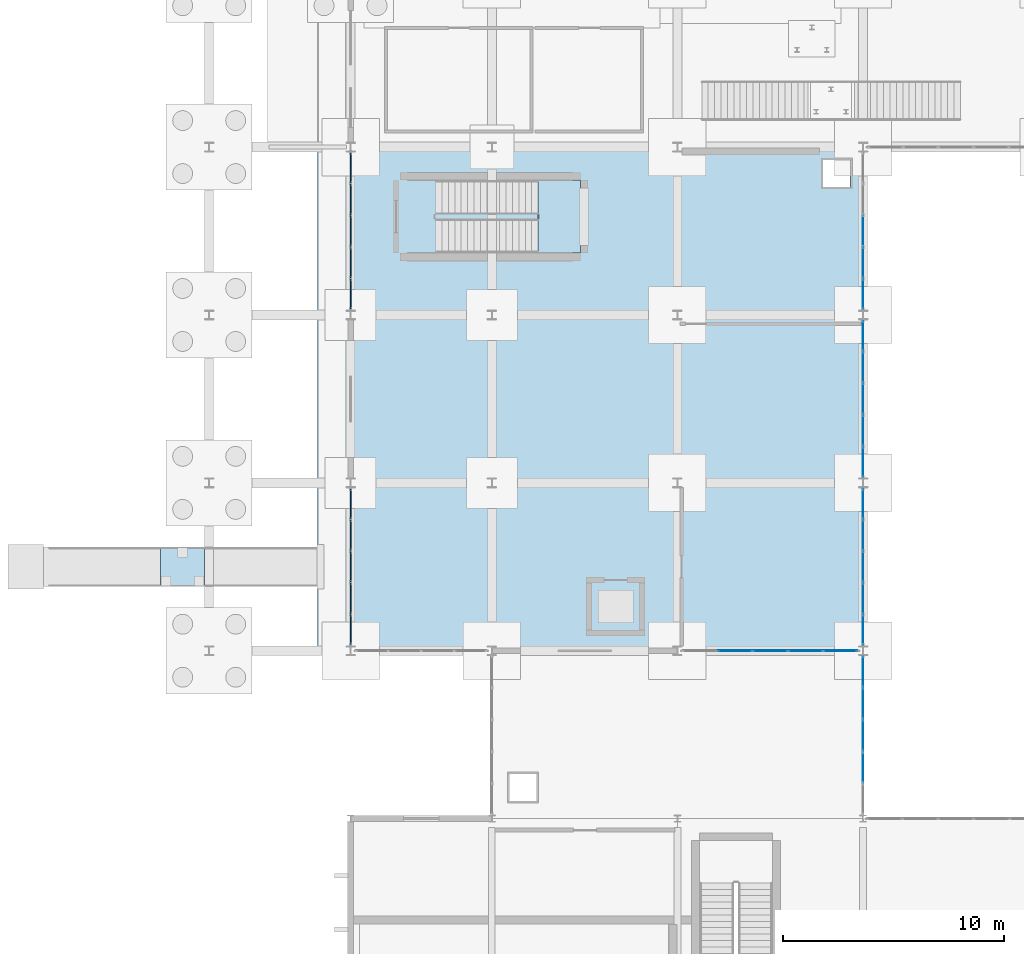
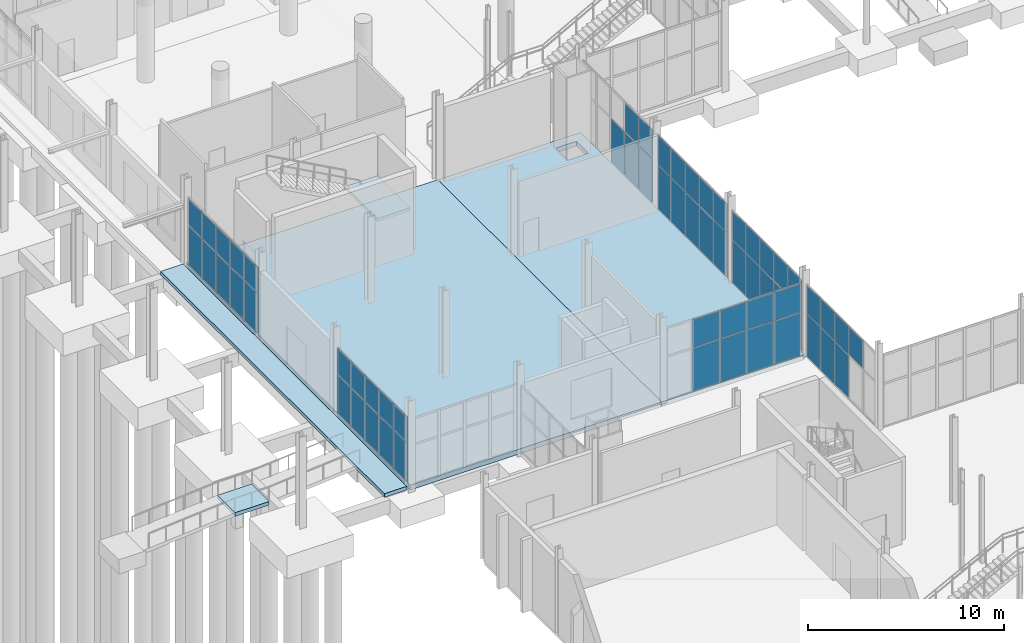
# One storey, part 61 of 95: 60 plates, 5 slabs, 9 elements without a shape of their own.
"""IFC4 building model written with IfcOpenShell, lengths in metres."""

from ifc_helpers import new_model, si_unit, direction, frame, origin, origin_2d, place, context, subcontext, project, spatial, polyline, rectangle, outline, extrude, material, layer, layer_set, type_object, element, aggregate, save


model = new_model("IFC4")

# Units and contexts
model_context = context("Model", 3, precision=1e-05, world=origin(), true_north=direction((0.0, 1.0)))
body_context = subcontext(model_context, "Body", "Model", "MODEL_VIEW")
ifc_project = project(units=[si_unit("LENGTHUNIT", "METRE"), si_unit("AREAUNIT", "SQUARE_METRE"), si_unit("VOLUMEUNIT", "CUBIC_METRE"), si_unit("PLANEANGLEUNIT", "RADIAN"), si_unit("MASSUNIT", "GRAM", prefix="KILO")], contexts=[model_context])

# Site, building, storey
site_placement = place(None, origin())
site = spatial("IfcSite", under=ifc_project, at=site_placement, CompositionType="ELEMENT")
building_placement = place(site_placement, origin())
building = spatial("IfcBuilding", under=site, at=building_placement, Name="Shengluoqiao Park Theatre", CompositionType="ELEMENT")
storey_placement = place(building_placement, origin())
storey = spatial("IfcBuildingStorey", under=building, at=storey_placement, Name="L00", CompositionType="ELEMENT", Elevation=0.0)

# Curtain wall, plates
ifc_material_1 = material(Name="Aluminium 6063-T6", Category="aluminium")
curtain_wall_type_1 = type_object("IfcCurtainWallType", Name="ENV-CW-STUDIO", PredefinedType="NOTDEFINED", material=ifc_material_1)
curtain_wall_1_placement = place(storey_placement, origin())
curtain_wall_1 = element("IfcCurtainWall", 1, at=curtain_wall_1_placement, inside=storey, type_object=curtain_wall_type_1, Name="L00 Curtain Wall CWX-L00-0012", PredefinedType="NOTDEFINED")
ifc_material_2 = material(Name="Insulated glass", Category="glass")
ifc_layer_1 = layer(ifc_material_2, 0.0380859375, Name="Insulated glass")
ifc_layer_set_1 = layer_set([ifc_layer_1], Name="Insulated glass")
plate_type_1 = type_object("IfcPlateType", Name="ENV-GLZ-GL-38", PredefinedType="CURTAIN_PANEL", material=ifc_layer_set_1)
plate_1_placement = place(storey_placement, frame((30.202880859375, 30.39990234375, 0.06005859375), z_axis=(0.0, 0.0, 1.0), x_axis=(1.0, 0.0, 0.0)))
plate_1 = element("IfcPlate", 2, at=plate_1_placement, type_object=plate_type_1, Name="CW-02 panel 2.1", PredefinedType="CURTAIN_PANEL", context=body_context, shape_type="SweptSolid", body=[
    extrude(rectangle(XDim=1.537109375, YDim=0.0380859375, at=origin_2d()), origin(), (0.0, 0.0, 1.0), 2.639892578125),
])
plate_2_placement = place(storey_placement, frame((30.202880859375, 30.39990234375, 2.760009765625), z_axis=(0.0, 0.0, 1.0), x_axis=(1.0, 0.0, 0.0)))
plate_2 = element("IfcPlate", 3, at=plate_2_placement, type_object=plate_type_1, Name="CW-02 panel 2.2", PredefinedType="CURTAIN_PANEL", context=body_context, shape_type="SweptSolid", body=[
    extrude(rectangle(XDim=1.537109375, YDim=0.0380859375, at=origin_2d()), origin(), (0.0, 0.0, 1.0), 1.72998046875),
])
plate_3_placement = place(storey_placement, frame((31.800048828125, 30.39990234375, 0.06005859375), z_axis=(0.0, 0.0, 1.0), x_axis=(1.0, 0.0, 0.0)))
plate_3 = element("IfcPlate", 4, at=plate_3_placement, type_object=plate_type_1, Name="CW-02 panel 3.1", PredefinedType="CURTAIN_PANEL", context=body_context, shape_type="SweptSolid", body=[
    extrude(rectangle(XDim=1.537109375, YDim=0.0380859375, at=origin_2d()), origin(), (0.0, 0.0, 1.0), 2.639892578125),
])
plate_4_placement = place(storey_placement, frame((31.800048828125, 30.39990234375, 2.760009765625), z_axis=(0.0, 0.0, 1.0), x_axis=(1.0, 0.0, 0.0)))
plate_4 = element("IfcPlate", 5, at=plate_4_placement, type_object=plate_type_1, Name="CW-02 panel 3.2", PredefinedType="CURTAIN_PANEL", context=body_context, shape_type="SweptSolid", body=[
    extrude(rectangle(XDim=1.537109375, YDim=0.0380859375, at=origin_2d()), origin(), (0.0, 0.0, 1.0), 1.72998046875),
])
plate_5_placement = place(storey_placement, frame((33.39697265625, 30.39990234375, 0.06005859375), z_axis=(0.0, 0.0, 1.0), x_axis=(1.0, 0.0, 0.0)))
plate_5 = element("IfcPlate", 6, at=plate_5_placement, type_object=plate_type_1, Name="CW-02 panel 4.1", PredefinedType="CURTAIN_PANEL", context=body_context, shape_type="SweptSolid", body=[
    extrude(rectangle(XDim=1.537109375, YDim=0.0380859375, at=origin_2d()), origin(), (0.0, 0.0, 1.0), 2.639892578125),
])
plate_6_placement = place(storey_placement, frame((33.39697265625, 30.39990234375, 2.760009765625), z_axis=(0.0, 0.0, 1.0), x_axis=(1.0, 0.0, 0.0)))
plate_6 = element("IfcPlate", 7, at=plate_6_placement, type_object=plate_type_1, Name="CW-02 panel 4.2", PredefinedType="CURTAIN_PANEL", context=body_context, shape_type="SweptSolid", body=[
    extrude(rectangle(XDim=1.537109375, YDim=0.0380859375, at=origin_2d()), origin(), (0.0, 0.0, 1.0), 1.72998046875),
])
plate_7_placement = place(storey_placement, frame((34.97900390625, 30.39990234375, 0.06005859375), z_axis=(0.0, 0.0, 1.0), x_axis=(1.0, 0.0, 0.0)))
plate_7 = element("IfcPlate", 8, at=plate_7_placement, type_object=plate_type_1, Name="CW-02 panel 5.1", PredefinedType="CURTAIN_PANEL", context=body_context, shape_type="SweptSolid", body=[
    extrude(rectangle(XDim=1.507080078125, YDim=0.0380859375, at=origin_2d()), origin(), (0.0, 0.0, 1.0), 2.639892578125),
])
plate_8_placement = place(storey_placement, frame((34.97900390625, 30.39990234375, 2.760009765625), z_axis=(0.0, 0.0, 1.0), x_axis=(1.0, 0.0, 0.0)))
plate_8 = element("IfcPlate", 9, at=plate_8_placement, type_object=plate_type_1, Name="CW-02 panel 5.2", PredefinedType="CURTAIN_PANEL", context=body_context, shape_type="SweptSolid", body=[
    extrude(rectangle(XDim=1.507080078125, YDim=0.0380859375, at=origin_2d()), origin(), (0.0, 0.0, 1.0), 1.72998046875),
])
aggregate(curtain_wall_1, [plate_1, plate_2, plate_3, plate_4, plate_5, plate_6, plate_7, plate_8])

curtain_wall_type_2 = type_object("IfcCurtainWallType", Name="ENV-CW-COURT", PredefinedType="NOTDEFINED", material=ifc_material_1)
curtain_wall_2_placement = place(storey_placement, origin())
curtain_wall_2 = element("IfcCurtainWall", 10, at=curtain_wall_2_placement, inside=storey, type_object=curtain_wall_type_2, Name="L00 Curtain Wall CWX-L00-0013", PredefinedType="NOTDEFINED")
plate_9_placement = place(storey_placement, frame((36.0, 31.349365234375, 0.06005859375), z_axis=(0.0, 0.0, 1.0), x_axis=(0.0, 1.0, 0.0)))
plate_9 = element("IfcPlate", 11, at=plate_9_placement, type_object=plate_type_1, Name="CW-05 panel 1.1", PredefinedType="CURTAIN_PANEL", context=body_context, shape_type="SweptSolid", body=[
    extrude(rectangle(XDim=1.3427734375, YDim=0.0380859375, at=origin_2d()), origin(), (0.0, 0.0, 1.0), 2.639892578125),
])
plate_10_placement = place(storey_placement, frame((36.0, 31.349365234375, 2.760009765625), z_axis=(0.0, 0.0, 1.0), x_axis=(0.0, 1.0, 0.0)))
plate_10 = element("IfcPlate", 12, at=plate_10_placement, type_object=plate_type_1, Name="CW-05 panel 1.2", PredefinedType="CURTAIN_PANEL", context=body_context, shape_type="SweptSolid", body=[
    extrude(rectangle(XDim=1.3427734375, YDim=0.0380859375, at=origin_2d()), origin(), (0.0, 0.0, 1.0), 1.72998046875),
])
plate_11_placement = place(storey_placement, frame((36.0, 32.76708984375, 0.06005859375), z_axis=(0.0, 0.0, 1.0), x_axis=(0.0, 1.0, 0.0)))
plate_11 = element("IfcPlate", 13, at=plate_11_placement, type_object=plate_type_1, Name="CW-05 panel 2.1", PredefinedType="CURTAIN_PANEL", context=body_context, shape_type="SweptSolid", body=[
    extrude(rectangle(XDim=1.372802734375, YDim=0.0380859375, at=origin_2d()), origin(), (0.0, 0.0, 1.0), 2.639892578125),
])
plate_12_placement = place(storey_placement, frame((36.0, 32.76708984375, 2.760009765625), z_axis=(0.0, 0.0, 1.0), x_axis=(0.0, 1.0, 0.0)))
plate_12 = element("IfcPlate", 14, at=plate_12_placement, type_object=plate_type_1, Name="CW-05 panel 2.2", PredefinedType="CURTAIN_PANEL", context=body_context, shape_type="SweptSolid", body=[
    extrude(rectangle(XDim=1.372802734375, YDim=0.0380859375, at=origin_2d()), origin(), (0.0, 0.0, 1.0), 1.72998046875),
])
plate_13_placement = place(storey_placement, frame((36.0, 34.199951171875, 0.06005859375), z_axis=(0.0, 0.0, 1.0), x_axis=(0.0, 1.0, 0.0)))
plate_13 = element("IfcPlate", 15, at=plate_13_placement, type_object=plate_type_1, Name="CW-05 panel 3.1", PredefinedType="CURTAIN_PANEL", context=body_context, shape_type="SweptSolid", body=[
    extrude(rectangle(XDim=1.372802734375, YDim=0.0380859375, at=origin_2d()), origin(), (0.0, 0.0, 1.0), 2.639892578125),
])
plate_14_placement = place(storey_placement, frame((36.0, 34.199951171875, 2.760009765625), z_axis=(0.0, 0.0, 1.0), x_axis=(0.0, 1.0, 0.0)))
plate_14 = element("IfcPlate", 16, at=plate_14_placement, type_object=plate_type_1, Name="CW-05 panel 3.2", PredefinedType="CURTAIN_PANEL", context=body_context, shape_type="SweptSolid", body=[
    extrude(rectangle(XDim=1.372802734375, YDim=0.0380859375, at=origin_2d()), origin(), (0.0, 0.0, 1.0), 1.72998046875),
])
plate_15_placement = place(storey_placement, frame((36.0, 35.6328125, 0.06005859375), z_axis=(0.0, 0.0, 1.0), x_axis=(0.0, 1.0, 0.0)))
plate_15 = element("IfcPlate", 17, at=plate_15_placement, type_object=plate_type_1, Name="CW-05 panel 4.1", PredefinedType="CURTAIN_PANEL", context=body_context, shape_type="SweptSolid", body=[
    extrude(rectangle(XDim=1.372802734375, YDim=0.0380859375, at=origin_2d()), origin(), (0.0, 0.0, 1.0), 2.639892578125),
])
plate_16_placement = place(storey_placement, frame((36.0, 35.6328125, 2.760009765625), z_axis=(0.0, 0.0, 1.0), x_axis=(0.0, 1.0, 0.0)))
plate_16 = element("IfcPlate", 18, at=plate_16_placement, type_object=plate_type_1, Name="CW-05 panel 4.2", PredefinedType="CURTAIN_PANEL", context=body_context, shape_type="SweptSolid", body=[
    extrude(rectangle(XDim=1.372802734375, YDim=0.0380859375, at=origin_2d()), origin(), (0.0, 0.0, 1.0), 1.72998046875),
])
plate_17_placement = place(storey_placement, frame((36.0, 37.050537109375, 0.06005859375), z_axis=(0.0, 0.0, 1.0), x_axis=(0.0, 1.0, 0.0)))
plate_17 = element("IfcPlate", 19, at=plate_17_placement, type_object=plate_type_1, Name="CW-05 panel 5.1", PredefinedType="CURTAIN_PANEL", context=body_context, shape_type="SweptSolid", body=[
    extrude(rectangle(XDim=1.3427734375, YDim=0.0380859375, at=origin_2d()), origin(), (0.0, 0.0, 1.0), 2.639892578125),
])
plate_18_placement = place(storey_placement, frame((36.0, 37.050537109375, 2.760009765625), z_axis=(0.0, 0.0, 1.0), x_axis=(0.0, 1.0, 0.0)))
plate_18 = element("IfcPlate", 20, at=plate_18_placement, type_object=plate_type_1, Name="CW-05 panel 5.2", PredefinedType="CURTAIN_PANEL", context=body_context, shape_type="SweptSolid", body=[
    extrude(rectangle(XDim=1.3427734375, YDim=0.0380859375, at=origin_2d()), origin(), (0.0, 0.0, 1.0), 1.72998046875),
])
aggregate(curtain_wall_2, [plate_9, plate_10, plate_11, plate_12, plate_13, plate_14, plate_15, plate_16, plate_17, plate_18])

curtain_wall_3_placement = place(storey_placement, origin())
curtain_wall_3 = element("IfcCurtainWall", 21, at=curtain_wall_3_placement, inside=storey, type_object=curtain_wall_type_2, Name="L00 Curtain Wall CWX-L00-0014", PredefinedType="NOTDEFINED")
plate_19_placement = place(storey_placement, frame((36.0, 38.949462890625, 0.06005859375), z_axis=(0.0, 0.0, 1.0), x_axis=(0.0, 1.0, 0.0)))
plate_19 = element("IfcPlate", 22, at=plate_19_placement, type_object=plate_type_1, Name="CW-05 panel 1.1", PredefinedType="CURTAIN_PANEL", context=body_context, shape_type="SweptSolid", body=[
    extrude(rectangle(XDim=1.3427734375, YDim=0.0380859375, at=origin_2d()), origin(), (0.0, 0.0, 1.0), 2.699951171875),
])
plate_20_placement = place(storey_placement, frame((36.0, 38.949462890625, 2.820068359375), z_axis=(0.0, 0.0, 1.0), x_axis=(0.0, 1.0, 0.0)))
plate_20 = element("IfcPlate", 23, at=plate_20_placement, type_object=plate_type_1, Name="CW-05 panel 1.2", PredefinedType="CURTAIN_PANEL", context=body_context, shape_type="SweptSolid", body=[
    extrude(rectangle(XDim=1.3427734375, YDim=0.0380859375, at=origin_2d()), origin(), (0.0, 0.0, 1.0), 1.77001953125),
])
plate_21_placement = place(storey_placement, frame((36.0, 40.3671875, 0.06005859375), z_axis=(0.0, 0.0, 1.0), x_axis=(0.0, 1.0, 0.0)))
plate_21 = element("IfcPlate", 24, at=plate_21_placement, type_object=plate_type_1, Name="CW-05 panel 2.1", PredefinedType="CURTAIN_PANEL", context=body_context, shape_type="SweptSolid", body=[
    extrude(rectangle(XDim=1.372802734375, YDim=0.0380859375, at=origin_2d()), origin(), (0.0, 0.0, 1.0), 2.699951171875),
])
plate_22_placement = place(storey_placement, frame((36.0, 40.3671875, 2.820068359375), z_axis=(0.0, 0.0, 1.0), x_axis=(0.0, 1.0, 0.0)))
plate_22 = element("IfcPlate", 25, at=plate_22_placement, type_object=plate_type_1, Name="CW-05 panel 2.2", PredefinedType="CURTAIN_PANEL", context=body_context, shape_type="SweptSolid", body=[
    extrude(rectangle(XDim=1.372802734375, YDim=0.0380859375, at=origin_2d()), origin(), (0.0, 0.0, 1.0), 1.77001953125),
])
plate_23_placement = place(storey_placement, frame((36.0, 41.800048828125, 0.06005859375), z_axis=(0.0, 0.0, 1.0), x_axis=(0.0, 1.0, 0.0)))
plate_23 = element("IfcPlate", 26, at=plate_23_placement, type_object=plate_type_1, Name="CW-05 panel 3.1", PredefinedType="CURTAIN_PANEL", context=body_context, shape_type="SweptSolid", body=[
    extrude(rectangle(XDim=1.372802734375, YDim=0.0380859375, at=origin_2d()), origin(), (0.0, 0.0, 1.0), 2.699951171875),
])
plate_24_placement = place(storey_placement, frame((36.0, 41.800048828125, 2.820068359375), z_axis=(0.0, 0.0, 1.0), x_axis=(0.0, 1.0, 0.0)))
plate_24 = element("IfcPlate", 27, at=plate_24_placement, type_object=plate_type_1, Name="CW-05 panel 3.2", PredefinedType="CURTAIN_PANEL", context=body_context, shape_type="SweptSolid", body=[
    extrude(rectangle(XDim=1.372802734375, YDim=0.0380859375, at=origin_2d()), origin(), (0.0, 0.0, 1.0), 1.77001953125),
])
plate_25_placement = place(storey_placement, frame((36.0, 43.23291015625, 0.06005859375), z_axis=(0.0, 0.0, 1.0), x_axis=(0.0, 1.0, 0.0)))
plate_25 = element("IfcPlate", 28, at=plate_25_placement, type_object=plate_type_1, Name="CW-05 panel 4.1", PredefinedType="CURTAIN_PANEL", context=body_context, shape_type="SweptSolid", body=[
    extrude(rectangle(XDim=1.372802734375, YDim=0.0380859375, at=origin_2d()), origin(), (0.0, 0.0, 1.0), 2.699951171875),
])
plate_26_placement = place(storey_placement, frame((36.0, 43.23291015625, 2.820068359375), z_axis=(0.0, 0.0, 1.0), x_axis=(0.0, 1.0, 0.0)))
plate_26 = element("IfcPlate", 29, at=plate_26_placement, type_object=plate_type_1, Name="CW-05 panel 4.2", PredefinedType="CURTAIN_PANEL", context=body_context, shape_type="SweptSolid", body=[
    extrude(rectangle(XDim=1.372802734375, YDim=0.0380859375, at=origin_2d()), origin(), (0.0, 0.0, 1.0), 1.77001953125),
])
plate_27_placement = place(storey_placement, frame((36.0, 44.650634765625, 0.06005859375), z_axis=(0.0, 0.0, 1.0), x_axis=(0.0, 1.0, 0.0)))
plate_27 = element("IfcPlate", 30, at=plate_27_placement, type_object=plate_type_1, Name="CW-05 panel 5.1", PredefinedType="CURTAIN_PANEL", context=body_context, shape_type="SweptSolid", body=[
    extrude(rectangle(XDim=1.3427734375, YDim=0.0380859375, at=origin_2d()), origin(), (0.0, 0.0, 1.0), 2.699951171875),
])
plate_28_placement = place(storey_placement, frame((36.0, 44.650634765625, 2.820068359375), z_axis=(0.0, 0.0, 1.0), x_axis=(0.0, 1.0, 0.0)))
plate_28 = element("IfcPlate", 31, at=plate_28_placement, type_object=plate_type_1, Name="CW-05 panel 5.2", PredefinedType="CURTAIN_PANEL", context=body_context, shape_type="SweptSolid", body=[
    extrude(rectangle(XDim=1.3427734375, YDim=0.0380859375, at=origin_2d()), origin(), (0.0, 0.0, 1.0), 1.77001953125),
])
aggregate(curtain_wall_3, [plate_19, plate_20, plate_21, plate_22, plate_23, plate_24, plate_25, plate_26, plate_27, plate_28])

curtain_wall_4_placement = place(storey_placement, origin())
curtain_wall_4 = element("IfcCurtainWall", 32, at=curtain_wall_4_placement, inside=storey, type_object=curtain_wall_type_2, Name="L00 Curtain Wall CWX-L00-0015", PredefinedType="NOTDEFINED")
plate_29_placement = place(storey_placement, frame((36.0, 46.54931640625, 0.06005859375), z_axis=(0.0, 0.0, 1.0), x_axis=(0.0, 1.0, 0.0)))
plate_29 = element("IfcPlate", 33, at=plate_29_placement, type_object=plate_type_1, Name="CW-05 panel 1.1", PredefinedType="CURTAIN_PANEL", context=body_context, shape_type="SweptSolid", body=[
    extrude(rectangle(XDim=1.3427734375, YDim=0.0380859375, at=origin_2d()), origin(), (0.0, 0.0, 1.0), 2.699951171875),
])
plate_30_placement = place(storey_placement, frame((36.0, 46.54931640625, 2.820068359375), z_axis=(0.0, 0.0, 1.0), x_axis=(0.0, 1.0, 0.0)))
plate_30 = element("IfcPlate", 34, at=plate_30_placement, type_object=plate_type_1, Name="CW-05 panel 1.2", PredefinedType="CURTAIN_PANEL", context=body_context, shape_type="SweptSolid", body=[
    extrude(rectangle(XDim=1.3427734375, YDim=0.0380859375, at=origin_2d()), origin(), (0.0, 0.0, 1.0), 1.77001953125),
])
plate_31_placement = place(storey_placement, frame((36.0, 47.96728515625, 0.06005859375), z_axis=(0.0, 0.0, 1.0), x_axis=(0.0, 1.0, 0.0)))
plate_31 = element("IfcPlate", 35, at=plate_31_placement, type_object=plate_type_1, Name="CW-05 panel 2.1", PredefinedType="CURTAIN_PANEL", context=body_context, shape_type="SweptSolid", body=[
    extrude(rectangle(XDim=1.372802734375, YDim=0.0380859375, at=origin_2d()), origin(), (0.0, 0.0, 1.0), 2.699951171875),
])
plate_32_placement = place(storey_placement, frame((36.0, 47.96728515625, 2.820068359375), z_axis=(0.0, 0.0, 1.0), x_axis=(0.0, 1.0, 0.0)))
plate_32 = element("IfcPlate", 36, at=plate_32_placement, type_object=plate_type_1, Name="CW-05 panel 2.2", PredefinedType="CURTAIN_PANEL", context=body_context, shape_type="SweptSolid", body=[
    extrude(rectangle(XDim=1.372802734375, YDim=0.0380859375, at=origin_2d()), origin(), (0.0, 0.0, 1.0), 1.77001953125),
])
plate_33_placement = place(storey_placement, frame((36.0, 49.39990234375, 0.06005859375), z_axis=(0.0, 0.0, 1.0), x_axis=(0.0, 1.0, 0.0)))
plate_33 = element("IfcPlate", 37, at=plate_33_placement, type_object=plate_type_1, Name="CW-05 panel 3.1", PredefinedType="CURTAIN_PANEL", context=body_context, shape_type="SweptSolid", body=[
    extrude(rectangle(XDim=1.372802734375, YDim=0.0380859375, at=origin_2d()), origin(), (0.0, 0.0, 1.0), 2.699951171875),
])
aggregate(curtain_wall_4, [plate_29, plate_30, plate_31, plate_32, plate_33])

curtain_wall_5_placement = place(storey_placement, origin())
curtain_wall_5 = element("IfcCurtainWall", 38, at=curtain_wall_5_placement, inside=storey, type_object=curtain_wall_type_2, Name="L00 Curtain Wall CWX-L00-0154", PredefinedType="NOTDEFINED")
plate_34_placement = place(storey_placement, frame((36.0, 25.122314453125, 2.760009765625), z_axis=(0.0, 0.0, 1.0), x_axis=(0.0, 1.0, 0.0)))
plate_34 = element("IfcPlate", 39, at=plate_34_placement, type_object=plate_type_1, Name="CW-05 panel 2.2", PredefinedType="CURTAIN_PANEL", context=body_context, shape_type="SweptSolid", body=[
    extrude(rectangle(XDim=1.385498046875, YDim=0.0380859375, at=origin_2d()), origin(), (0.0, 0.0, 1.0), 1.72998046875),
])
plate_35_placement = place(storey_placement, frame((36.0, 26.568115234375, 0.06005859375), z_axis=(0.0, 0.0, 1.0), x_axis=(0.0, 1.0, 0.0)))
plate_35 = element("IfcPlate", 40, at=plate_35_placement, type_object=plate_type_1, Name="CW-05 panel 3.1", PredefinedType="CURTAIN_PANEL", context=body_context, shape_type="SweptSolid", body=[
    extrude(rectangle(XDim=1.385498046875, YDim=0.0380859375, at=origin_2d()), origin(), (0.0, 0.0, 1.0), 2.639892578125),
])
plate_36_placement = place(storey_placement, frame((36.0, 26.568115234375, 2.760009765625), z_axis=(0.0, 0.0, 1.0), x_axis=(0.0, 1.0, 0.0)))
plate_36 = element("IfcPlate", 41, at=plate_36_placement, type_object=plate_type_1, Name="CW-05 panel 3.2", PredefinedType="CURTAIN_PANEL", context=body_context, shape_type="SweptSolid", body=[
    extrude(rectangle(XDim=1.385498046875, YDim=0.0380859375, at=origin_2d()), origin(), (0.0, 0.0, 1.0), 1.72998046875),
])
plate_37_placement = place(storey_placement, frame((36.0, 28.013671875, 0.06005859375), z_axis=(0.0, 0.0, 1.0), x_axis=(0.0, 1.0, 0.0)))
plate_37 = element("IfcPlate", 42, at=plate_37_placement, type_object=plate_type_1, Name="CW-05 panel 4.1", PredefinedType="CURTAIN_PANEL", context=body_context, shape_type="SweptSolid", body=[
    extrude(rectangle(XDim=1.385498046875, YDim=0.0380859375, at=origin_2d()), origin(), (0.0, 0.0, 1.0), 2.639892578125),
])
plate_38_placement = place(storey_placement, frame((36.0, 28.013671875, 2.760009765625), z_axis=(0.0, 0.0, 1.0), x_axis=(0.0, 1.0, 0.0)))
plate_38 = element("IfcPlate", 43, at=plate_38_placement, type_object=plate_type_1, Name="CW-05 panel 4.2", PredefinedType="CURTAIN_PANEL", context=body_context, shape_type="SweptSolid", body=[
    extrude(rectangle(XDim=1.385498046875, YDim=0.0380859375, at=origin_2d()), origin(), (0.0, 0.0, 1.0), 1.72998046875),
])
plate_39_placement = place(storey_placement, frame((36.0, 29.444091796875, 0.06005859375), z_axis=(0.0, 0.0, 1.0), x_axis=(0.0, 1.0, 0.0)))
plate_39 = element("IfcPlate", 44, at=plate_39_placement, type_object=plate_type_1, Name="CW-05 panel 5.1", PredefinedType="CURTAIN_PANEL", context=body_context, shape_type="SweptSolid", body=[
    extrude(rectangle(XDim=1.355712890625, YDim=0.0380859375, at=origin_2d()), origin(), (0.0, 0.0, 1.0), 2.639892578125),
])
plate_40_placement = place(storey_placement, frame((36.0, 29.444091796875, 2.760009765625), z_axis=(0.0, 0.0, 1.0), x_axis=(0.0, 1.0, 0.0)))
plate_40 = element("IfcPlate", 45, at=plate_40_placement, type_object=plate_type_1, Name="CW-05 panel 5.2", PredefinedType="CURTAIN_PANEL", context=body_context, shape_type="SweptSolid", body=[
    extrude(rectangle(XDim=1.355712890625, YDim=0.0380859375, at=origin_2d()), origin(), (0.0, 0.0, 1.0), 1.72998046875),
])
aggregate(curtain_wall_5, [plate_34, plate_35, plate_36, plate_37, plate_38, plate_39, plate_40])

curtain_wall_6_placement = place(storey_placement, origin())
curtain_wall_6 = element("IfcCurtainWall", 46, at=curtain_wall_6_placement, inside=storey, type_object=curtain_wall_type_1, Name="L00 Curtain Wall CW-L00-0009", PredefinedType="NOTDEFINED")
ifc_layer_2 = layer(ifc_material_2, 0.048095703125, Name="Insulated glass")
ifc_layer_set_2 = layer_set([ifc_layer_2], Name="Insulated glass")
plate_type_2 = type_object("IfcPlateType", Name="ENV-GLZ-GL-48", PredefinedType="CURTAIN_PANEL", material=ifc_layer_set_2)
plate_41_placement = place(storey_placement, frame((12.800048828125, 31.3505859375, 0.06494140625), z_axis=(0.0, 0.0, 1.0), x_axis=(0.0, 1.0, 0.0)))
plate_41 = element("IfcPlate", 47, at=plate_41_placement, type_object=plate_type_2, Name="CW-02 panel 1.1", PredefinedType="CURTAIN_PANEL", context=body_context, shape_type="SweptSolid", body=[
    extrude(rectangle(XDim=1.335205078125, YDim=0.048095703125, at=origin_2d()), origin(), (0.0, 0.0, 1.0), 2.385498046875),
])
plate_42_placement = place(storey_placement, frame((12.800048828125, 31.3505859375, 2.515380859375), z_axis=(0.0, 0.0, 1.0), x_axis=(0.0, 1.0, 0.0)))
plate_42 = element("IfcPlate", 48, at=plate_42_placement, type_object=plate_type_2, Name="CW-02 panel 1.2", PredefinedType="CURTAIN_PANEL", context=body_context, shape_type="SweptSolid", body=[
    extrude(rectangle(XDim=1.335205078125, YDim=0.048095703125, at=origin_2d()), origin(), (0.0, 0.0, 1.0), 1.5576171875),
])
plate_43_placement = place(storey_placement, frame((12.800048828125, 32.76708984375, 0.06494140625), z_axis=(0.0, 0.0, 1.0), x_axis=(0.0, 1.0, 0.0)))
plate_43 = element("IfcPlate", 49, at=plate_43_placement, type_object=plate_type_2, Name="CW-02 panel 2.1", PredefinedType="CURTAIN_PANEL", context=body_context, shape_type="SweptSolid", body=[
    extrude(rectangle(XDim=1.367919921875, YDim=0.048095703125, at=origin_2d()), origin(), (0.0, 0.0, 1.0), 2.385498046875),
])
plate_44_placement = place(storey_placement, frame((12.800048828125, 32.76708984375, 2.515380859375), z_axis=(0.0, 0.0, 1.0), x_axis=(0.0, 1.0, 0.0)))
plate_44 = element("IfcPlate", 50, at=plate_44_placement, type_object=plate_type_2, Name="CW-02 panel 2.2", PredefinedType="CURTAIN_PANEL", context=body_context, shape_type="SweptSolid", body=[
    extrude(rectangle(XDim=1.367919921875, YDim=0.048095703125, at=origin_2d()), origin(), (0.0, 0.0, 1.0), 1.5576171875),
])
plate_45_placement = place(storey_placement, frame((12.800048828125, 34.199951171875, 0.06494140625), z_axis=(0.0, 0.0, 1.0), x_axis=(0.0, 1.0, 0.0)))
plate_45 = element("IfcPlate", 51, at=plate_45_placement, type_object=plate_type_2, Name="CW-02 panel 3.1", PredefinedType="CURTAIN_PANEL", context=body_context, shape_type="SweptSolid", body=[
    extrude(rectangle(XDim=1.367919921875, YDim=0.048095703125, at=origin_2d()), origin(), (0.0, 0.0, 1.0), 2.385498046875),
])
plate_46_placement = place(storey_placement, frame((12.800048828125, 34.199951171875, 2.515380859375), z_axis=(0.0, 0.0, 1.0), x_axis=(0.0, 1.0, 0.0)))
plate_46 = element("IfcPlate", 52, at=plate_46_placement, type_object=plate_type_2, Name="CW-02 panel 3.2", PredefinedType="CURTAIN_PANEL", context=body_context, shape_type="SweptSolid", body=[
    extrude(rectangle(XDim=1.367919921875, YDim=0.048095703125, at=origin_2d()), origin(), (0.0, 0.0, 1.0), 1.5576171875),
])
plate_47_placement = place(storey_placement, frame((12.800048828125, 35.6328125, 0.06494140625), z_axis=(0.0, 0.0, 1.0), x_axis=(0.0, 1.0, 0.0)))
plate_47 = element("IfcPlate", 53, at=plate_47_placement, type_object=plate_type_2, Name="CW-02 panel 4.1", PredefinedType="CURTAIN_PANEL", context=body_context, shape_type="SweptSolid", body=[
    extrude(rectangle(XDim=1.367919921875, YDim=0.048095703125, at=origin_2d()), origin(), (0.0, 0.0, 1.0), 2.385498046875),
])
plate_48_placement = place(storey_placement, frame((12.800048828125, 35.6328125, 2.515380859375), z_axis=(0.0, 0.0, 1.0), x_axis=(0.0, 1.0, 0.0)))
plate_48 = element("IfcPlate", 54, at=plate_48_placement, type_object=plate_type_2, Name="CW-02 panel 4.2", PredefinedType="CURTAIN_PANEL", context=body_context, shape_type="SweptSolid", body=[
    extrude(rectangle(XDim=1.367919921875, YDim=0.048095703125, at=origin_2d()), origin(), (0.0, 0.0, 1.0), 1.5576171875),
])
plate_49_placement = place(storey_placement, frame((12.800048828125, 37.04931640625, 0.06494140625), z_axis=(0.0, 0.0, 1.0), x_axis=(0.0, 1.0, 0.0)))
plate_49 = element("IfcPlate", 55, at=plate_49_placement, type_object=plate_type_2, Name="CW-02 panel 5.1", PredefinedType="CURTAIN_PANEL", context=body_context, shape_type="SweptSolid", body=[
    extrude(rectangle(XDim=1.335205078125, YDim=0.048095703125, at=origin_2d()), origin(), (0.0, 0.0, 1.0), 2.385498046875),
])
plate_50_placement = place(storey_placement, frame((12.800048828125, 37.04931640625, 2.515380859375), z_axis=(0.0, 0.0, 1.0), x_axis=(0.0, 1.0, 0.0)))
plate_50 = element("IfcPlate", 56, at=plate_50_placement, type_object=plate_type_2, Name="CW-02 panel 5.2", PredefinedType="CURTAIN_PANEL", context=body_context, shape_type="SweptSolid", body=[
    extrude(rectangle(XDim=1.335205078125, YDim=0.048095703125, at=origin_2d()), origin(), (0.0, 0.0, 1.0), 1.5576171875),
])
aggregate(curtain_wall_6, [plate_41, plate_42, plate_43, plate_44, plate_45, plate_46, plate_47, plate_48, plate_49, plate_50])

curtain_wall_7_placement = place(storey_placement, origin())
curtain_wall_7 = element("IfcCurtainWall", 57, at=curtain_wall_7_placement, inside=storey, type_object=curtain_wall_type_1, Name="L00 Curtain Wall CW-L00-0010", PredefinedType="NOTDEFINED")
plate_51_placement = place(storey_placement, frame((12.800048828125, 46.550537109375, 0.06494140625), z_axis=(0.0, 0.0, 1.0), x_axis=(0.0, 1.0, 0.0)))
plate_51 = element("IfcPlate", 58, at=plate_51_placement, type_object=plate_type_2, Name="CW-02 panel 1.1", PredefinedType="CURTAIN_PANEL", context=body_context, shape_type="SweptSolid", body=[
    extrude(rectangle(XDim=1.335205078125, YDim=0.048095703125, at=origin_2d()), origin(), (0.0, 0.0, 1.0), 2.445556640625),
])
plate_52_placement = place(storey_placement, frame((12.800048828125, 46.550537109375, 2.57568359375), z_axis=(0.0, 0.0, 1.0), x_axis=(0.0, 1.0, 0.0)))
plate_52 = element("IfcPlate", 59, at=plate_52_placement, type_object=plate_type_2, Name="CW-02 panel 1.2", PredefinedType="CURTAIN_PANEL", context=body_context, shape_type="SweptSolid", body=[
    extrude(rectangle(XDim=1.335205078125, YDim=0.048095703125, at=origin_2d()), origin(), (0.0, 0.0, 1.0), 1.597412109375),
])
plate_53_placement = place(storey_placement, frame((12.800048828125, 47.96728515625, 0.06494140625), z_axis=(0.0, 0.0, 1.0), x_axis=(0.0, 1.0, 0.0)))
plate_53 = element("IfcPlate", 60, at=plate_53_placement, type_object=plate_type_2, Name="CW-02 panel 2.1", PredefinedType="CURTAIN_PANEL", context=body_context, shape_type="SweptSolid", body=[
    extrude(rectangle(XDim=1.367919921875, YDim=0.048095703125, at=origin_2d()), origin(), (0.0, 0.0, 1.0), 2.445556640625),
])
plate_54_placement = place(storey_placement, frame((12.800048828125, 47.96728515625, 2.57568359375), z_axis=(0.0, 0.0, 1.0), x_axis=(0.0, 1.0, 0.0)))
plate_54 = element("IfcPlate", 61, at=plate_54_placement, type_object=plate_type_2, Name="CW-02 panel 2.2", PredefinedType="CURTAIN_PANEL", context=body_context, shape_type="SweptSolid", body=[
    extrude(rectangle(XDim=1.367919921875, YDim=0.048095703125, at=origin_2d()), origin(), (0.0, 0.0, 1.0), 1.597412109375),
])
plate_55_placement = place(storey_placement, frame((12.800048828125, 49.39990234375, 0.06494140625), z_axis=(0.0, 0.0, 1.0), x_axis=(0.0, 1.0, 0.0)))
plate_55 = element("IfcPlate", 62, at=plate_55_placement, type_object=plate_type_2, Name="CW-02 panel 3.1", PredefinedType="CURTAIN_PANEL", context=body_context, shape_type="SweptSolid", body=[
    extrude(rectangle(XDim=1.367919921875, YDim=0.048095703125, at=origin_2d()), origin(), (0.0, 0.0, 1.0), 2.445556640625),
])
plate_56_placement = place(storey_placement, frame((12.800048828125, 49.39990234375, 2.57568359375), z_axis=(0.0, 0.0, 1.0), x_axis=(0.0, 1.0, 0.0)))
plate_56 = element("IfcPlate", 63, at=plate_56_placement, type_object=plate_type_2, Name="CW-02 panel 3.2", PredefinedType="CURTAIN_PANEL", context=body_context, shape_type="SweptSolid", body=[
    extrude(rectangle(XDim=1.367919921875, YDim=0.048095703125, at=origin_2d()), origin(), (0.0, 0.0, 1.0), 1.597412109375),
])
plate_57_placement = place(storey_placement, frame((12.800048828125, 50.832763671875, 0.06494140625), z_axis=(0.0, 0.0, 1.0), x_axis=(0.0, 1.0, 0.0)))
plate_57 = element("IfcPlate", 64, at=plate_57_placement, type_object=plate_type_2, Name="CW-02 panel 4.1", PredefinedType="CURTAIN_PANEL", context=body_context, shape_type="SweptSolid", body=[
    extrude(rectangle(XDim=1.367919921875, YDim=0.048095703125, at=origin_2d()), origin(), (0.0, 0.0, 1.0), 2.445556640625),
])
plate_58_placement = place(storey_placement, frame((12.800048828125, 50.832763671875, 2.57568359375), z_axis=(0.0, 0.0, 1.0), x_axis=(0.0, 1.0, 0.0)))
plate_58 = element("IfcPlate", 65, at=plate_58_placement, type_object=plate_type_2, Name="CW-02 panel 4.2", PredefinedType="CURTAIN_PANEL", context=body_context, shape_type="SweptSolid", body=[
    extrude(rectangle(XDim=1.367919921875, YDim=0.048095703125, at=origin_2d()), origin(), (0.0, 0.0, 1.0), 1.597412109375),
])
plate_59_placement = place(storey_placement, frame((12.800048828125, 52.249267578125, 0.06494140625), z_axis=(0.0, 0.0, 1.0), x_axis=(0.0, 1.0, 0.0)))
plate_59 = element("IfcPlate", 66, at=plate_59_placement, type_object=plate_type_2, Name="CW-02 panel 5.1", PredefinedType="CURTAIN_PANEL", context=body_context, shape_type="SweptSolid", body=[
    extrude(rectangle(XDim=1.335205078125, YDim=0.048095703125, at=origin_2d()), origin(), (0.0, 0.0, 1.0), 2.445556640625),
])
plate_60_placement = place(storey_placement, frame((12.800048828125, 52.249267578125, 2.57568359375), z_axis=(0.0, 0.0, 1.0), x_axis=(0.0, 1.0, 0.0)))
plate_60 = element("IfcPlate", 67, at=plate_60_placement, type_object=plate_type_2, Name="CW-02 panel 5.2", PredefinedType="CURTAIN_PANEL", context=body_context, shape_type="SweptSolid", body=[
    extrude(rectangle(XDim=1.335205078125, YDim=0.048095703125, at=origin_2d()), origin(), (0.0, 0.0, 1.0), 1.597412109375),
])
aggregate(curtain_wall_7, [plate_51, plate_52, plate_53, plate_54, plate_55, plate_56, plate_57, plate_58, plate_59, plate_60])

# Slab
ifc_material_3 = material(Name="Concrete C40", Category="concrete")
ifc_layer_3 = layer(ifc_material_3, 0.219970703125, Name="Concrete C40")
ifc_layer_set_3 = layer_set([ifc_layer_3], Name="Concrete C40")
slab_type_1 = type_object("IfcSlabType", Name="ENV-SLB-APRON", PredefinedType="BASESLAB", material=ifc_layer_set_3)
slab_1_placement = place(storey_placement, frame((0.0, 0.0, -0.219970703125)))
element("IfcSlab", 68, at=slab_1_placement, inside=storey, type_object=slab_type_1, Name="Exterior Threshold Apron APR-WEST-STU", PredefinedType="BASESLAB", context=body_context, shape_type="SweptSolid", body=[
    extrude(outline(polyline([(11.300048828125, 30.39990234375), (12.6201171875, 30.39990234375), (12.6201171875, 53.199951171875), (11.300048828125, 53.199951171875), (11.300048828125, 30.39990234375)])), origin(), (0.0, 0.0, 1.0), 0.219970703125),
])

# Ramp, slab
ramp_type = type_object("IfcRampType", Name="ENV-RMP-PED", PredefinedType="TWO_STRAIGHT_RUN_RAMP", material=ifc_material_3)
ramp_placement = place(storey_placement, origin())
ramp = element("IfcRamp", 69, at=ramp_placement, inside=storey, type_object=ramp_type, Name="Studio Forecourt Wheelchair Ramp 02", PredefinedType="TWO_STRAIGHT_RUN_RAMP")
ifc_layer_4 = layer(ifc_material_3, 0.219970703125, Name="Concrete C40")
ifc_layer_set_4 = layer_set([ifc_layer_4], Name="Concrete C40")
slab_type_2 = type_object("IfcSlabType", Name="ENV-SLB-RMLND", PredefinedType="LANDING", material=ifc_layer_set_4)
slab_2_placement = place(storey_placement, frame((0.0, 0.0, -0.669921875)))
slab_2 = element("IfcSlab", 70, at=slab_2_placement, type_object=slab_type_2, Name="RMP-02 Intermediate Landing", PredefinedType="LANDING", context=body_context, shape_type="SweptSolid", body=[
    extrude(outline(polyline([(4.199951171875, 33.300048828125), (6.199951171875, 33.300048828125), (6.199951171875, 35.10009765625), (4.199951171875, 35.10009765625), (4.199951171875, 33.300048828125)])), origin(), (0.0, 0.0, 1.0), 0.219970703125),
])
aggregate(ramp, [slab_2])

# Stair, slab
stair_type = type_object("IfcStairType", Name="INT-STR-CORE", PredefinedType="HALF_TURN_STAIR", material=ifc_material_3)
stair_placement = place(storey_placement, origin())
stair = element("IfcStair", 71, at=stair_placement, inside=storey, type_object=stair_type, Name="L00 Studio Crystal North Escape Stair 13", PredefinedType="HALF_TURN_STAIR")
ifc_layer_5 = layer(ifc_material_3, 0.169921875, Name="Concrete C40")
ifc_layer_set_5 = layer_set([ifc_layer_5], Name="Concrete C40")
slab_type_3 = type_object("IfcSlabType", Name="INT-LND-SL-170", PredefinedType="LANDING", material=ifc_layer_set_5)
slab_3_placement = place(storey_placement, frame((0.0, 0.0, 2.5)))
slab_3 = element("IfcSlab", 72, at=slab_3_placement, type_object=slab_type_3, Name="ST-13 landing 1", PredefinedType="LANDING", context=body_context, shape_type="SweptSolid", body=[
    extrude(outline(polyline([(21.2900390625, 48.39990234375), (23.199951171875, 48.39990234375), (23.199951171875, 51.699951171875), (21.2900390625, 51.699951171875), (21.2900390625, 48.39990234375)])), origin(), (0.0, 0.0, 1.0), 0.199951171875),
])
aggregate(stair, [slab_3])

# Slabs
ifc_layer_6 = layer(ifc_material_3, 0.300048828125, Name="Concrete C40")
ifc_layer_set_6 = layer_set([ifc_layer_6], Name="Concrete C40")
slab_type_4 = type_object("IfcSlabType", Name="STR-SLB-FL300", PredefinedType="FLOOR", material=ifc_layer_set_6)
slab_4_placement = place(storey_placement, frame((0.0, 0.0, -0.300048828125)))
element("IfcSlab", 73, at=slab_4_placement, inside=storey, type_object=slab_type_4, Name="Floor Slab L00-V3-W", PredefinedType="FLOOR", context=body_context, shape_type="SweptSolid", body=[
    extrude(outline(polyline([(12.800048828125, 30.39990234375), (12.800048828125, 53.199951171875), (27.60009765625, 53.199951171875), (27.60009765625, 30.39990234375), (12.800048828125, 30.39990234375)])), origin(), (0.0, 0.0, 1.0), 0.300048828125),
])
slab_5_placement = place(storey_placement, frame((0.0, 0.0, -0.300048828125)))
element("IfcSlab", 74, at=slab_5_placement, inside=storey, type_object=slab_type_4, Name="Floor Slab L00-V3-E", PredefinedType="FLOOR", context=body_context, shape_type="SweptSolid", body=[
    extrude(outline(polyline([(27.60009765625, 30.39990234375), (27.60009765625, 53.199951171875), (36.0, 53.199951171875), (36.0, 30.39990234375), (27.60009765625, 30.39990234375)]), holes=[polyline([(35.419921875, 51.39990234375), (35.419921875, 52.6201171875), (34.199951171875, 52.6201171875), (34.199951171875, 51.39990234375), (35.419921875, 51.39990234375)])]), origin(), (0.0, 0.0, 1.0), 0.300048828125),
])

save(model, "model.ifc")
